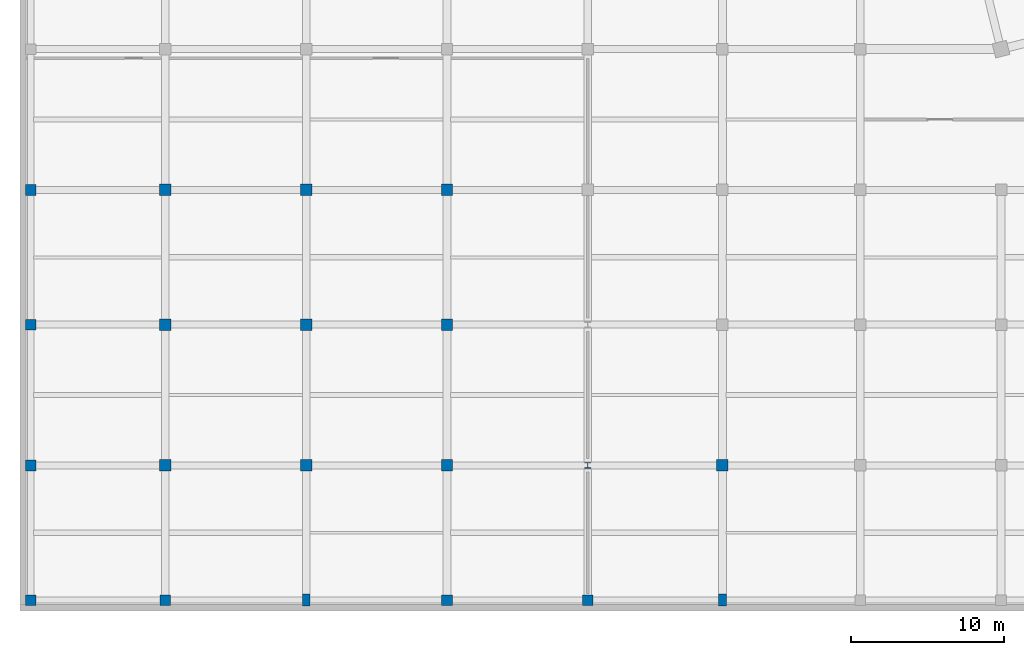
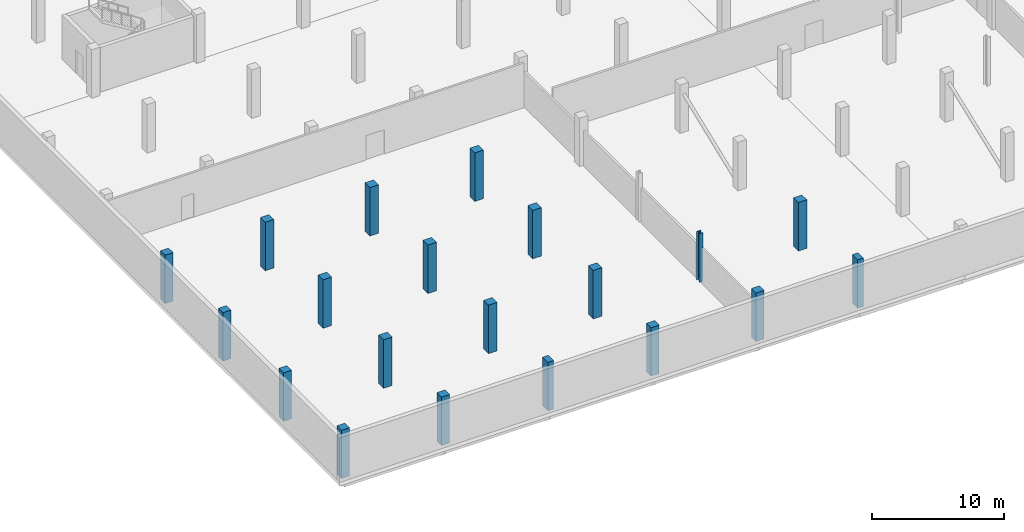
# One storey, part 1 of 31: 20 columns.
"""IFC4 building model written with IfcOpenShell, lengths in metres."""

from ifc_helpers import new_model, si_unit, direction, frame, origin, origin_2d, place, context, subcontext, project, spatial, rectangle, i_section, extrude, material, material_profile, profile_set, type_object, element, save


model = new_model("IFC4")

# Units and contexts
model_context = context("Model", 3, precision=1e-05, world=origin(), true_north=direction((0.0, 1.0)))
body_context = subcontext(model_context, "Body", "Model", "MODEL_VIEW")
ifc_project = project(units=[si_unit("LENGTHUNIT", "METRE"), si_unit("AREAUNIT", "SQUARE_METRE"), si_unit("VOLUMEUNIT", "CUBIC_METRE"), si_unit("PLANEANGLEUNIT", "RADIAN"), si_unit("MASSUNIT", "GRAM", prefix="KILO")], contexts=[model_context])

# Site, building, storey
site_placement = place(None, origin())
site = spatial("IfcSite", under=ifc_project, at=site_placement, CompositionType="ELEMENT")
building_placement = place(site_placement, origin())
building = spatial("IfcBuilding", under=site, at=building_placement, Name="Meriwether Solvik Hall", CompositionType="ELEMENT")
storey_placement = place(building_placement, frame((0.0, 0.0, -4.5)))
storey = spatial("IfcBuildingStorey", under=building, at=storey_placement, Name="B01", CompositionType="ELEMENT", Elevation=-4.5)

# Columns
ifc_material_1 = material(Name="Concrete C40/50", Category="concrete")
ifc_material_profile_1 = material_profile(ifc_material_1, rectangle(XDim=0.699951171875, YDim=0.699951171875, at=origin_2d()), Name="RCC-700X700")
ifc_profile_set_1 = profile_set([ifc_material_profile_1], Name="Concrete C40/50")
column_type_1 = type_object("IfcColumnType", Name="COL-RC-700", PredefinedType="COLUMN", material=ifc_profile_set_1)
for number, where, z_axis, x_axis, name in (
    (1, (5.199951171875, 5.199951171875, 0.0), (0.0, 0.0, 1.0), (1.0, 0.0, 0.0), "Podium Column 1/A (B01)"),
    (2, (5.199951171875, 14.0, 0.0), (0.0, 0.0, 1.0), (1.0, 0.0, 0.0), "Podium Column 1/B (B01)"),
    (3, (5.199951171875, 23.199951171875, 0.0), (0.0, 0.0, 1.0), (1.0, 0.0, 0.0), "Podium Column 1/C (B01)"),
    (4, (5.199951171875, 32.0, 0.0), (0.0, 0.0, 1.0), (1.0, 0.0, 0.0), "Podium Column 1/D (B01)"),
    (5, (14.0, 5.199951171875, 0.0), (0.0, 0.0, 1.0), (1.0, 0.0, 0.0), "Podium Column 2/A (B01)"),
    (6, (32.39990234375, 5.199951171875, 0.0), (0.0, 0.0, 1.0), (1.0, 0.0, 0.0), "Podium Column 4/A (B01)"),
    (7, (41.60009765625, 5.199951171875, 0.0), (0.0, 0.0, 1.0), (1.0, 0.0, 0.0), "Podium Column 5/A (B01)"),
):
    element("IfcColumn", number, at=place(storey_placement, frame(where, z_axis=z_axis, x_axis=x_axis)), inside=storey, type_object=column_type_1, Name=name, PredefinedType="COLUMN", context=body_context, shape_type="SweptSolid", body=[
        extrude(rectangle(XDim=0.699951171875, YDim=0.699951171875, at=origin_2d()), origin(), (0.0, 0.0, 1.0), 4.5),
    ])
ifc_material_2 = material(Name="Concrete C40/50", Category="concrete")
ifc_material_profile_2 = material_profile(ifc_material_2, rectangle(XDim=0.75, YDim=0.75, at=origin_2d()), Name="RCC-750X750")
ifc_profile_set_2 = profile_set([ifc_material_profile_2], Name="Concrete C40/50")
column_type_2 = type_object("IfcColumnType", Name="COL-RC-750", PredefinedType="COLUMN", material=ifc_profile_set_2)
for number, where, z_axis, x_axis, name in (
    (8, (14.0, 14.0, 0.0), (0.0, 0.0, 1.0), (1.0, 0.0, 0.0), "Podium Column 2/B (B01)"),
    (9, (14.0, 23.199951171875, 0.0), (0.0, 0.0, 1.0), (1.0, 0.0, 0.0), "Podium Column 2/C (B01)"),
    (10, (14.0, 32.0, 0.0), (0.0, 0.0, 1.0), (1.0, 0.0, 0.0), "Podium Column 2/D (B01)"),
    (11, (23.199951171875, 14.0, 0.0), (0.0, 0.0, 1.0), (1.0, 0.0, 0.0), "Podium Column 3/B (B01)"),
    (12, (23.199951171875, 23.199951171875, 0.0), (0.0, 0.0, 1.0), (1.0, 0.0, 0.0), "Podium Column 3/C (B01)"),
    (13, (23.199951171875, 32.0, 0.0), (0.0, 0.0, 1.0), (1.0, 0.0, 0.0), "Podium Column 3/D (B01)"),
    (14, (32.39990234375, 14.0, 0.0), (0.0, 0.0, 1.0), (1.0, 0.0, 0.0), "Podium Column 4/B (B01)"),
    (15, (32.39990234375, 23.199951171875, 0.0), (0.0, 0.0, 1.0), (1.0, 0.0, 0.0), "Podium Column 4/C (B01)"),
    (16, (32.39990234375, 32.0, 0.0), (0.0, 0.0, 1.0), (1.0, 0.0, 0.0), "Podium Column 4/D (B01)"),
    (17, (50.39990234375, 14.0, 0.0), (0.0, 0.0, 1.0), (1.0, 0.0, 0.0), "Podium Column 6/B (B01)"),
):
    element("IfcColumn", number, at=place(storey_placement, frame(where, z_axis=z_axis, x_axis=x_axis)), inside=storey, type_object=column_type_2, Name=name, PredefinedType="COLUMN", context=body_context, shape_type="SweptSolid", body=[
        extrude(rectangle(XDim=0.75, YDim=0.75, at=origin_2d()), origin(), (0.0, 0.0, 1.0), 4.5),
    ])
ifc_material_3 = material(Name="Steel A992 Grade 50", Category="steel")
ifc_material_profile_3 = material_profile(ifc_material_3, i_section(OverallWidth=0.3740234375, OverallDepth=0.3720703125, WebThickness=0.016357421875, FlangeThickness=0.026123046875, at=origin_2d()), Name="W14X132")
ifc_profile_set_3 = profile_set([ifc_material_profile_3], Name="Steel A992 Grade 50")
column_type_3 = type_object("IfcColumnType", Name="COL-STL-W14X132", PredefinedType="COLUMN", material=ifc_profile_set_3)
column_placement = place(storey_placement, frame((41.60009765625, 14.0, 0.0), z_axis=(0.0, 0.0, 1.0), x_axis=(1.0, 0.0, 0.0)))
element("IfcColumn", 18, at=column_placement, inside=storey, type_object=column_type_3, Name="Podium Column 5/B (B01)", PredefinedType="COLUMN", context=body_context, shape_type="SweptSolid", body=[
    extrude(i_section(OverallWidth=0.3740234375, OverallDepth=0.3720703125, WebThickness=0.016357421875, FlangeThickness=0.026123046875, at=origin_2d()), origin(), (0.0, 0.0, 1.0), 4.5),
])
ifc_material_4 = material(Name="Concrete C40/50", Category="concrete")
ifc_material_profile_4 = material_profile(ifc_material_4, rectangle(XDim=0.5, YDim=0.800048828125, at=origin_2d()), Name="RCP-500X800")
ifc_profile_set_4 = profile_set([ifc_material_profile_4], Name="Concrete C40/50")
column_type_4 = type_object("IfcColumnType", Name="PIL-RC-500X800", PredefinedType="PILASTER", material=ifc_profile_set_4)
for number, where, z_axis, x_axis, name in (
    (19, (23.199951171875, 5.199951171875, 0.0), (0.0, 0.0, 1.0), (1.0, 0.0, 0.0), "Podium Column 3/A (B01)"),
    (20, (50.39990234375, 5.199951171875, 0.0), (0.0, 0.0, 1.0), (1.0, 0.0, 0.0), "Podium Column 6/A (B01)"),
):
    element("IfcColumn", number, at=place(storey_placement, frame(where, z_axis=z_axis, x_axis=x_axis)), inside=storey, type_object=column_type_4, Name=name, PredefinedType="PILASTER", context=body_context, shape_type="SweptSolid", body=[
        extrude(rectangle(XDim=0.5, YDim=0.800048828125, at=origin_2d()), origin(), (0.0, 0.0, 1.0), 4.5),
    ])

save(model, "model.ifc")
